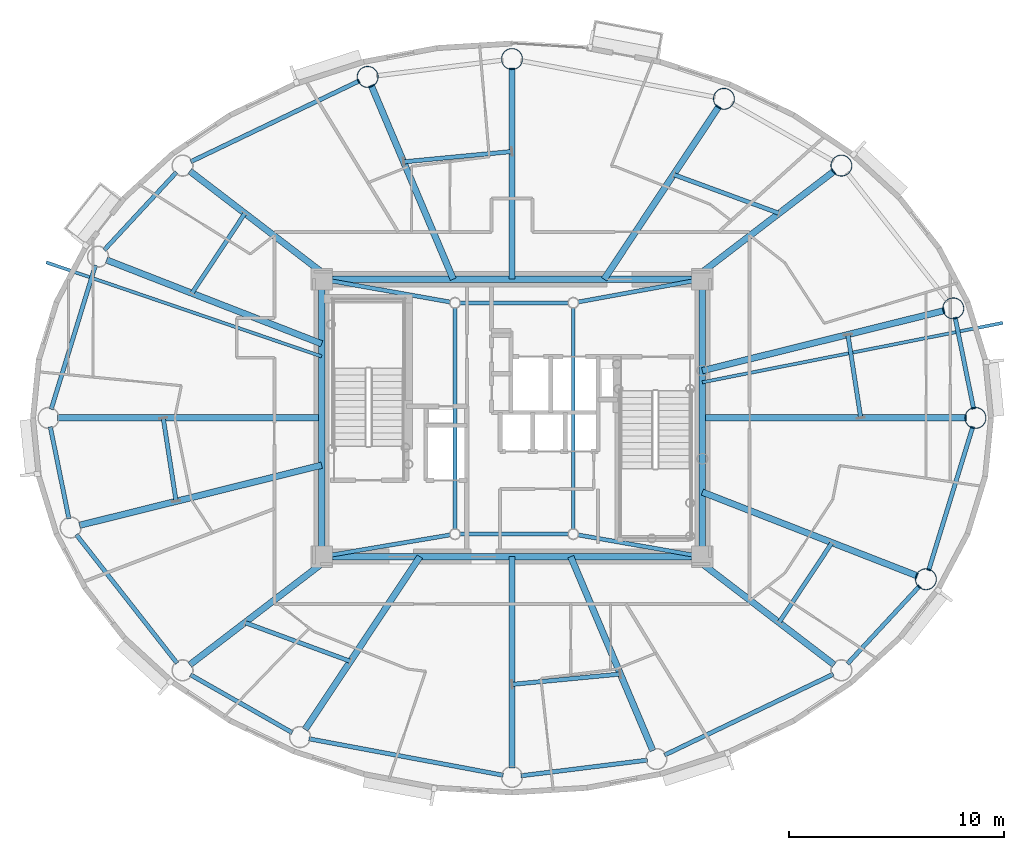
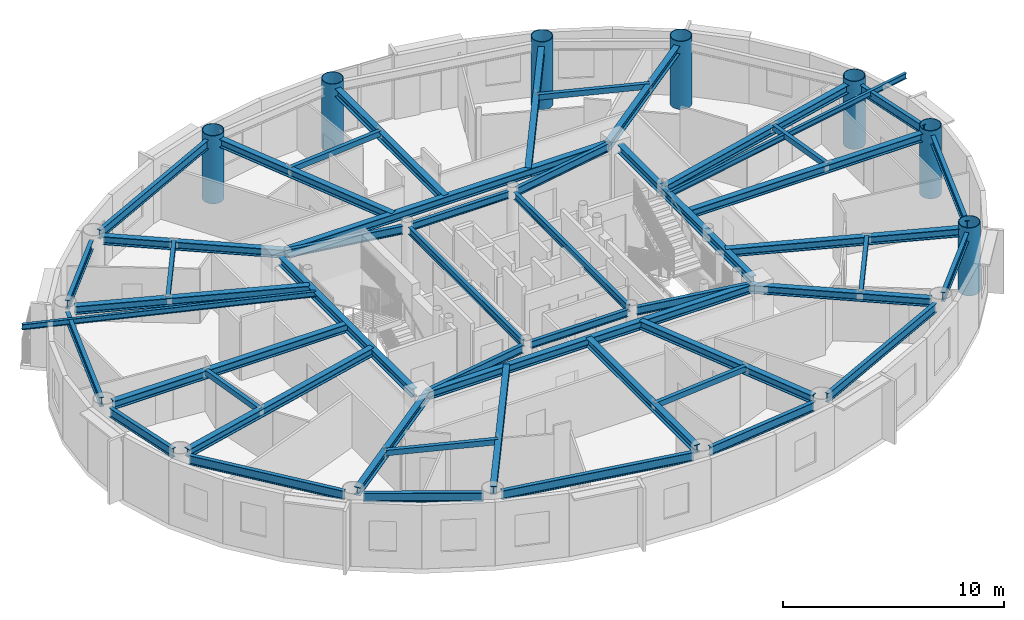
# One storey, part 2 of 18: 50 beams, 7 columns.
"""IFC4 building model written with IfcOpenShell, lengths in metres."""

from ifc_helpers import new_model, si_unit, direction, frame, origin, origin_2d, place, context, subcontext, project, spatial, hollow_rectangle, hollow_circle, i_section, extrude, material, material_profile, profile_set, type_object, element, save


model = new_model("IFC4")

# Units and contexts
model_context = context("Model", 3, precision=1e-05, world=origin(), true_north=direction((0.0, 1.0)))
body_context = subcontext(model_context, "Body", "Model", "MODEL_VIEW")
ifc_project = project(units=[si_unit("LENGTHUNIT", "METRE"), si_unit("AREAUNIT", "SQUARE_METRE"), si_unit("VOLUMEUNIT", "CUBIC_METRE"), si_unit("PLANEANGLEUNIT", "RADIAN"), si_unit("MASSUNIT", "GRAM", prefix="KILO")], contexts=[model_context])

# Site, building, storey
site_placement = place(None, origin())
site = spatial("IfcSite", under=ifc_project, at=site_placement, CompositionType="ELEMENT")
building_placement = place(site_placement, origin())
building = spatial("IfcBuilding", under=site, at=building_placement, Name="Linh Dai School and Residence Tower", CompositionType="ELEMENT")
storey_placement = place(building_placement, frame((0.0, 0.0, 291.75)))
storey = spatial("IfcBuildingStorey", under=building, at=storey_placement, Name="L72", CompositionType="ELEMENT", Elevation=291.75)

# Columns
ifc_material = material(Name="Structural Steel S355JR", Category="steel")
ifc_material_profile_1 = material_profile(ifc_material, hollow_circle(Radius=0.5, WallThickness=0.031982421875, at=origin_2d()), Name="CHS 1000x32")
ifc_profile_set_1 = profile_set([ifc_material_profile_1], Name="Structural Steel S355JR")
column_type = type_object("IfcColumnType", Name="COL-MC6", PredefinedType="COLUMN", material=ifc_profile_set_1)
for number, where, z_axis, x_axis, name in (
    (1, (57.550048828125, 27.0, 0.0), (0.0, 0.0, 1.0), (1.0, 0.0, 0.0), "L72 Perimeter CFT Mega-Column MC01"),
    (2, (56.5185546875, 32.094482421875, 0.0), (0.0, 0.0, 1.0), (1.0, 0.0, 0.0), "L72 Perimeter CFT Mega-Column MC02"),
    (3, (51.315185546875, 38.7333984375, 0.0), (0.0, 0.0, 1.0), (1.0, 0.0, 0.0), "L72 Perimeter CFT Mega-Column MC03"),
    (4, (45.8544921875, 41.8388671875, 0.0), (0.0, 0.0, 1.0), (1.0, 0.0, 0.0), "L72 Perimeter CFT Mega-Column MC04"),
    (5, (36.0, 43.68994140625, 0.0), (0.0, 0.0, 1.0), (1.0, 0.0, 0.0), "L72 Perimeter CFT Mega-Column MC05"),
    (6, (29.28759765625, 42.857666015625, 0.0), (0.0, 0.0, 1.0), (1.0, 0.0, 0.0), "L72 Perimeter CFT Mega-Column MC06"),
    (7, (55.24609375, 19.50048828125, 0.0), (0.0, 0.0, 1.0), (1.0, 0.0, 0.0), "L72 Perimeter CFT Mega-Column MC16"),
):
    element("IfcColumn", number, at=place(storey_placement, frame(where, z_axis=z_axis, x_axis=x_axis)), inside=storey, type_object=column_type, Name=name, PredefinedType="COLUMN", context=body_context, shape_type="SweptSolid", body=[
        extrude(hollow_circle(Radius=0.5, WallThickness=0.031982421875, at=origin_2d()), origin(), (0.0, 0.0, 1.0), 3.75),
    ])

# Beams
ifc_material_profile_2 = material_profile(ifc_material, i_section(OverallWidth=0.14990234375, OverallDepth=0.300048828125, WebThickness=0.007080078125, FlangeThickness=0.0107421875, at=origin_2d()), Name="IPE 300")
ifc_profile_set_2 = profile_set([ifc_material_profile_2], Name="Structural Steel S355JR")
beam_type_1 = type_object("IfcBeamType", Name="BM-BALC-CANT", PredefinedType="BEAM", material=ifc_profile_set_2)
beam_1_placement = place(storey_placement, frame((44.85009765625, 28.657958984375, 3.35009765625), z_axis=(0.98098726072, 0.194072136859, 0.0), x_axis=(-0.194072136859, 0.98098726072, 0.0)))
element("IfcBeam", 8, at=beam_1_placement, inside=storey, type_object=beam_type_1, Name="L73 Balcony Continuous Cantilever Beam 02", PredefinedType="BEAM", context=body_context, shape_type="SweptSolid", body=[
    extrude(i_section(OverallWidth=0.14990234375, OverallDepth=0.300048828125, WebThickness=0.007080078125, FlangeThickness=0.0107421875, at=origin_2d()), origin(), (0.0, 0.0, 1.0), 14.244140625),
])
beam_2_placement = place(storey_placement, frame((27.14990234375, 29.86083984375, 3.35009765625), z_axis=(-0.946337745038, 0.323179319136, 0.0), x_axis=(-0.323179319136, -0.946337745038, 0.0)))
element("IfcBeam", 9, at=beam_2_placement, inside=storey, type_object=beam_type_1, Name="L73 Balcony Continuous Cantilever Beam 18", PredefinedType="BEAM", context=body_context, shape_type="SweptSolid", body=[
    extrude(i_section(OverallWidth=0.14990234375, OverallDepth=0.300048828125, WebThickness=0.007080078125, FlangeThickness=0.0107421875, at=origin_2d()), origin(), (0.0, 0.0, 1.0), 13.532958984375),
])
ifc_material_profile_3 = material_profile(ifc_material, hollow_rectangle(XDim=0.199951171875, YDim=0.300048828125, WallThickness=0.010009765625, at=origin_2d()), Name="RHS 300x200x10")
ifc_profile_set_3 = profile_set([ifc_material_profile_3], Name="Structural Steel S355JR")
beam_type_2 = type_object("IfcBeamType", Name="BM-BX3", PredefinedType="BEAM", material=ifc_profile_set_3)
beam_3_placement = place(storey_placement, frame((52.21533203125, 27.0048828125, 3.35009765625), z_axis=(-0.15246970742, 0.988308144416, 0.0), x_axis=(-0.988308144416, -0.15246970742, 0.0)))
element("IfcBeam", 10, at=beam_3_placement, inside=storey, type_object=beam_type_2, Name="L72 Secondary Circumferential Floor Beam 01", PredefinedType="BEAM", context=body_context, shape_type="SweptSolid", body=[
    extrude(hollow_rectangle(XDim=0.199951171875, YDim=0.300048828125, WallThickness=0.010009765625, at=origin_2d()), origin(), (0.0, 0.0, 1.0), 3.913330078125),
])
beam_4_placement = place(storey_placement, frame((48.4140625, 36.51611328125, 3.35009765625), z_axis=(-0.938699136888, 0.344737480418, 0.0), x_axis=(-0.344737480418, -0.938699136888, 0.0)))
element("IfcBeam", 11, at=beam_4_placement, inside=storey, type_object=beam_type_2, Name="L72 Secondary Circumferential Floor Beam 02", PredefinedType="BEAM", context=body_context, shape_type="SweptSolid", body=[
    extrude(hollow_rectangle(XDim=0.199951171875, YDim=0.300048828125, WallThickness=0.010009765625, at=origin_2d()), origin(), (0.0, 0.0, 1.0), 5.21435546875),
])
beam_5_placement = place(storey_placement, frame((35.9951171875, 39.388671875, 3.35009765625), z_axis=(-0.99544604529, -0.095326653757, 0.0), x_axis=(0.095326653757, -0.99544604529, 0.0)))
element("IfcBeam", 12, at=beam_5_placement, inside=storey, type_object=beam_type_2, Name="L72 Secondary Circumferential Floor Beam 03", PredefinedType="BEAM", context=body_context, shape_type="SweptSolid", body=[
    extrude(hollow_rectangle(XDim=0.199951171875, YDim=0.300048828125, WallThickness=0.010009765625, at=origin_2d()), origin(), (0.0, 0.0, 1.0), 5.052978515625),
])
beam_6_placement = place(storey_placement, frame((23.57861328125, 36.51025390625, 3.35009765625), z_axis=(-0.552138599569, -0.833752341445, 0.0), x_axis=(0.833752341445, -0.552138599569, 0.0)))
element("IfcBeam", 13, at=beam_6_placement, inside=storey, type_object=beam_type_2, Name="L72 Secondary Circumferential Floor Beam 04", PredefinedType="BEAM", context=body_context, shape_type="SweptSolid", body=[
    extrude(hollow_rectangle(XDim=0.199951171875, YDim=0.300048828125, WallThickness=0.010009765625, at=origin_2d()), origin(), (0.0, 0.0, 1.0), 4.447265625),
])
beam_7_placement = place(storey_placement, frame((19.78466796875, 26.9951171875, 3.35009765625), z_axis=(0.15246970742, -0.988308144416, 0.0), x_axis=(0.988308144416, 0.15246970742, 0.0)))
element("IfcBeam", 14, at=beam_7_placement, inside=storey, type_object=beam_type_2, Name="L72 Secondary Circumferential Floor Beam 05", PredefinedType="BEAM", context=body_context, shape_type="SweptSolid", body=[
    extrude(hollow_rectangle(XDim=0.199951171875, YDim=0.300048828125, WallThickness=0.010009765625, at=origin_2d()), origin(), (0.0, 0.0, 1.0), 3.913330078125),
])
beam_8_placement = place(storey_placement, frame((23.5859375, 17.48388671875, 3.35009765625), z_axis=(0.938699136888, -0.344737480418, 0.0), x_axis=(0.344737480418, 0.938699136888, 0.0)))
element("IfcBeam", 15, at=beam_8_placement, inside=storey, type_object=beam_type_2, Name="L72 Secondary Circumferential Floor Beam 06", PredefinedType="BEAM", context=body_context, shape_type="SweptSolid", body=[
    extrude(hollow_rectangle(XDim=0.199951171875, YDim=0.300048828125, WallThickness=0.010009765625, at=origin_2d()), origin(), (0.0, 0.0, 1.0), 5.21435546875),
])
beam_9_placement = place(storey_placement, frame((36.0048828125, 14.611328125, 3.35009765625), z_axis=(0.99544604529, 0.095326653757, 0.0), x_axis=(-0.095326653757, 0.99544604529, 0.0)))
element("IfcBeam", 16, at=beam_9_placement, inside=storey, type_object=beam_type_2, Name="L72 Secondary Circumferential Floor Beam 07", PredefinedType="BEAM", context=body_context, shape_type="SweptSolid", body=[
    extrude(hollow_rectangle(XDim=0.199951171875, YDim=0.300048828125, WallThickness=0.010009765625, at=origin_2d()), origin(), (0.0, 0.0, 1.0), 5.052978515625),
])
beam_10_placement = place(storey_placement, frame((48.42138671875, 17.48974609375, 3.35009765625), z_axis=(0.552138599569, 0.833752341445, 0.0), x_axis=(-0.833752341445, 0.552138599569, 0.0)))
element("IfcBeam", 17, at=beam_10_placement, inside=storey, type_object=beam_type_2, Name="L72 Secondary Circumferential Floor Beam 08", PredefinedType="BEAM", context=body_context, shape_type="SweptSolid", body=[
    extrude(hollow_rectangle(XDim=0.199951171875, YDim=0.300048828125, WallThickness=0.010009765625, at=origin_2d()), origin(), (0.0, 0.0, 1.0), 4.447265625),
])
ifc_material_profile_4 = material_profile(ifc_material, i_section(OverallWidth=0.199951171875, OverallDepth=0.5, WebThickness=0.01025390625, FlangeThickness=0.01611328125, FilletRadius=0.02099609375, at=origin_2d()), Name="IPE 500")
ifc_profile_set_4 = profile_set([ifc_material_profile_4], Name="Structural Steel S355JR")
beam_type_3 = type_object("IfcBeamType", Name="BM-RB50", PredefinedType="BEAM", material=ifc_profile_set_4)
beam_11_placement = place(storey_placement, frame((57.466552734375, 27.41162109375, 3.25), z_axis=(-0.198442801529, 0.980112470343, 0.0), x_axis=(-0.980112470343, -0.198442801529, 0.0)))
element("IfcBeam", 18, at=beam_11_placement, inside=storey, type_object=beam_type_3, Name="L72 Perimeter Elliptical Ring Beam 01", PredefinedType="BEAM", context=body_context, shape_type="SweptSolid", body=[
    extrude(i_section(OverallWidth=0.199951171875, OverallDepth=0.5, WebThickness=0.01025390625, FlangeThickness=0.01611328125, FilletRadius=0.02099609375, at=origin_2d()), origin(), (0.0, 0.0, 1.0), 4.357666015625),
])
beam_12_placement = place(storey_placement, frame((28.908935546875, 42.67626953125, 3.25), z_axis=(-0.901728757887, -0.4323022637, 0.0), x_axis=(0.4323022637, -0.901728757887, 0.0)))
element("IfcBeam", 19, at=beam_12_placement, inside=storey, type_object=beam_type_3, Name="L72 Perimeter Elliptical Ring Beam 06", PredefinedType="BEAM", context=body_context, shape_type="SweptSolid", body=[
    extrude(i_section(OverallWidth=0.199951171875, OverallDepth=0.5, WebThickness=0.01025390625, FlangeThickness=0.01611328125, FilletRadius=0.02099609375, at=origin_2d()), origin(), (0.0, 0.0, 1.0), 8.700439453125),
])
beam_13_placement = place(storey_placement, frame((20.399169921875, 38.425537109375, 3.25), z_axis=(-0.680415064526, -0.7328269509, 0.0), x_axis=(0.7328269509, -0.680415064526, 0.0)))
element("IfcBeam", 20, at=beam_13_placement, inside=storey, type_object=beam_type_3, Name="L72 Perimeter Elliptical Ring Beam 07", PredefinedType="BEAM", context=body_context, shape_type="SweptSolid", body=[
    extrude(i_section(OverallWidth=0.199951171875, OverallDepth=0.5, WebThickness=0.01025390625, FlangeThickness=0.01611328125, FilletRadius=0.02099609375, at=origin_2d()), origin(), (0.0, 0.0, 1.0), 4.9375),
])
beam_14_placement = place(storey_placement, frame((16.630615234375, 34.097900390625, 3.25), z_axis=(-0.293681749834, -0.955903253376, 0.0), x_axis=(0.955903253376, -0.293681749834, 0.0)))
element("IfcBeam", 21, at=beam_14_placement, inside=storey, type_object=beam_type_3, Name="L72 Perimeter Elliptical Ring Beam 08", PredefinedType="BEAM", context=body_context, shape_type="SweptSolid", body=[
    extrude(i_section(OverallWidth=0.199951171875, OverallDepth=0.5, WebThickness=0.01025390625, FlangeThickness=0.01611328125, FilletRadius=0.02099609375, at=origin_2d()), origin(), (0.0, 0.0, 1.0), 7.00537109375),
])
beam_15_placement = place(storey_placement, frame((14.533447265625, 26.58837890625, 3.25), z_axis=(0.198442801529, -0.980112470343, 0.0), x_axis=(0.980112470343, 0.198442801529, 0.0)))
element("IfcBeam", 22, at=beam_15_placement, inside=storey, type_object=beam_type_3, Name="L72 Perimeter Elliptical Ring Beam 09", PredefinedType="BEAM", context=body_context, shape_type="SweptSolid", body=[
    extrude(i_section(OverallWidth=0.199951171875, OverallDepth=0.5, WebThickness=0.01025390625, FlangeThickness=0.01611328125, FilletRadius=0.02099609375, at=origin_2d()), origin(), (0.0, 0.0, 1.0), 4.357666015625),
])
beam_16_placement = place(storey_placement, frame((15.740478515625, 21.574951171875, 3.25), z_axis=(0.616882739554, -0.787055071542, 0.0), x_axis=(0.787055071542, 0.616882739554, 0.0)))
element("IfcBeam", 23, at=beam_16_placement, inside=storey, type_object=beam_type_3, Name="L72 Perimeter Elliptical Ring Beam 10", PredefinedType="BEAM", context=body_context, shape_type="SweptSolid", body=[
    extrude(i_section(OverallWidth=0.199951171875, OverallDepth=0.5, WebThickness=0.01025390625, FlangeThickness=0.01611328125, FilletRadius=0.02099609375, at=origin_2d()), origin(), (0.0, 0.0, 1.0), 7.59521484375),
])
beam_17_placement = place(storey_placement, frame((21.050048828125, 15.05908203125, 3.25), z_axis=(0.869265548778, -0.494345431564, 0.0), x_axis=(0.494345431564, 0.869265548778, 0.0)))
element("IfcBeam", 24, at=beam_17_placement, inside=storey, type_object=beam_type_3, Name="L72 Perimeter Elliptical Ring Beam 11", PredefinedType="BEAM", context=body_context, shape_type="SweptSolid", body=[
    extrude(i_section(OverallWidth=0.199951171875, OverallDepth=0.5, WebThickness=0.01025390625, FlangeThickness=0.01611328125, FilletRadius=0.02099609375, at=origin_2d()), origin(), (0.0, 0.0, 1.0), 5.44189453125),
])
beam_18_placement = place(storey_placement, frame((26.558349609375, 12.083740234375, 3.25), z_axis=(0.982805333306, -0.184644731378, 0.0), x_axis=(0.184644731378, 0.982805333306, 0.0)))
element("IfcBeam", 25, at=beam_18_placement, inside=storey, type_object=beam_type_3, Name="L72 Perimeter Elliptical Ring Beam 12", PredefinedType="BEAM", context=body_context, shape_type="SweptSolid", body=[
    extrude(i_section(OverallWidth=0.199951171875, OverallDepth=0.5, WebThickness=0.01025390625, FlangeThickness=0.01611328125, FilletRadius=0.02099609375, at=origin_2d()), origin(), (0.0, 0.0, 1.0), 9.186767578125),
])
beam_19_placement = place(storey_placement, frame((36.416748046875, 10.361572265625, 3.25), z_axis=(0.992399134443, 0.123060789678, 0.0), x_axis=(-0.123060789678, 0.992399134443, 0.0)))
element("IfcBeam", 26, at=beam_19_placement, inside=storey, type_object=beam_type_3, Name="L72 Perimeter Elliptical Ring Beam 13", PredefinedType="BEAM", context=body_context, shape_type="SweptSolid", body=[
    extrude(i_section(OverallWidth=0.199951171875, OverallDepth=0.5, WebThickness=0.01025390625, FlangeThickness=0.01611328125, FilletRadius=0.02099609375, at=origin_2d()), origin(), (0.0, 0.0, 1.0), 5.923828125),
])
beam_20_placement = place(storey_placement, frame((43.091064453125, 11.32373046875, 3.25), z_axis=(0.901728757887, 0.4323022637, 0.0), x_axis=(-0.4323022637, 0.901728757887, 0.0)))
element("IfcBeam", 27, at=beam_20_placement, inside=storey, type_object=beam_type_3, Name="L72 Perimeter Elliptical Ring Beam 14", PredefinedType="BEAM", context=body_context, shape_type="SweptSolid", body=[
    extrude(i_section(OverallWidth=0.199951171875, OverallDepth=0.5, WebThickness=0.01025390625, FlangeThickness=0.01611328125, FilletRadius=0.02099609375, at=origin_2d()), origin(), (0.0, 0.0, 1.0), 8.700439453125),
])
beam_21_placement = place(storey_placement, frame((51.600830078125, 15.574462890625, 3.25), z_axis=(0.680415064526, 0.7328269509, 0.0), x_axis=(-0.7328269509, 0.680415064526, 0.0)))
element("IfcBeam", 28, at=beam_21_placement, inside=storey, type_object=beam_type_3, Name="L72 Perimeter Elliptical Ring Beam 15", PredefinedType="BEAM", context=body_context, shape_type="SweptSolid", body=[
    extrude(i_section(OverallWidth=0.199951171875, OverallDepth=0.5, WebThickness=0.01025390625, FlangeThickness=0.01611328125, FilletRadius=0.02099609375, at=origin_2d()), origin(), (0.0, 0.0, 1.0), 4.9375),
])
beam_22_placement = place(storey_placement, frame((55.369384765625, 19.902099609375, 3.25), z_axis=(0.293681749834, 0.955903253376, 0.0), x_axis=(-0.955903253376, 0.293681749834, 0.0)))
element("IfcBeam", 29, at=beam_22_placement, inside=storey, type_object=beam_type_3, Name="L72 Perimeter Elliptical Ring Beam 16", PredefinedType="BEAM", context=body_context, shape_type="SweptSolid", body=[
    extrude(i_section(OverallWidth=0.199951171875, OverallDepth=0.5, WebThickness=0.01025390625, FlangeThickness=0.01611328125, FilletRadius=0.02099609375, at=origin_2d()), origin(), (0.0, 0.0, 1.0), 7.00537109375),
])
ifc_material_profile_5 = material_profile(ifc_material, i_section(OverallWidth=0.300048828125, OverallDepth=0.449951171875, WebThickness=0.013916015625, FlangeThickness=0.02587890625, FilletRadius=0.027099609375, at=origin_2d()), Name="HEB 450")
ifc_profile_set_5 = profile_set([ifc_material_profile_5], Name="Structural Steel S355JR")
beam_type_4 = type_object("IfcBeamType", Name="BM-RG45", PredefinedType="BEAM", material=ifc_profile_set_5)
beam_23_placement = place(storey_placement, frame((27.570068359375, 20.550048828125, 3.27490234375), z_axis=(1.0, 0.0, 0.0), x_axis=(0.0, 1.0, 0.0)))
element("IfcBeam", 30, at=beam_23_placement, inside=storey, type_object=beam_type_4, Name="L72 Core Perimeter Coupling Girder 1", PredefinedType="BEAM", context=body_context, shape_type="SweptSolid", body=[
    extrude(i_section(OverallWidth=0.300048828125, OverallDepth=0.449951171875, WebThickness=0.013916015625, FlangeThickness=0.02587890625, FilletRadius=0.027099609375, at=origin_2d()), origin(), (0.0, 0.0, 1.0), 16.85986328125),
])
beam_24_placement = place(storey_placement, frame((44.85009765625, 20.969970703125, 3.27490234375), z_axis=(0.0, 1.0, 0.0), x_axis=(-1.0, 0.0, 0.0)))
element("IfcBeam", 31, at=beam_24_placement, inside=storey, type_object=beam_type_4, Name="L72 Core Perimeter Coupling Girder 2", PredefinedType="BEAM", context=body_context, shape_type="SweptSolid", body=[
    extrude(i_section(OverallWidth=0.300048828125, OverallDepth=0.449951171875, WebThickness=0.013916015625, FlangeThickness=0.02587890625, FilletRadius=0.027099609375, at=origin_2d()), origin(), (0.0, 0.0, 1.0), 12.06005859375),
])
beam_25_placement = place(storey_placement, frame((44.429931640625, 33.449951171875, 3.27490234375), z_axis=(-1.0, 0.0, 0.0), x_axis=(0.0, -1.0, 0.0)))
element("IfcBeam", 32, at=beam_25_placement, inside=storey, type_object=beam_type_4, Name="L72 Core Perimeter Coupling Girder 3", PredefinedType="BEAM", context=body_context, shape_type="SweptSolid", body=[
    extrude(i_section(OverallWidth=0.300048828125, OverallDepth=0.449951171875, WebThickness=0.013916015625, FlangeThickness=0.02587890625, FilletRadius=0.027099609375, at=origin_2d()), origin(), (0.0, 0.0, 1.0), 16.85986328125),
])
beam_26_placement = place(storey_placement, frame((27.14990234375, 33.030029296875, 3.27490234375), z_axis=(0.0, -1.0, 0.0), x_axis=(1.0, 0.0, 0.0)))
element("IfcBeam", 33, at=beam_26_placement, inside=storey, type_object=beam_type_4, Name="L72 Core Perimeter Coupling Girder 4", PredefinedType="BEAM", context=body_context, shape_type="SweptSolid", body=[
    extrude(i_section(OverallWidth=0.300048828125, OverallDepth=0.449951171875, WebThickness=0.013916015625, FlangeThickness=0.02587890625, FilletRadius=0.027099609375, at=origin_2d()), origin(), (0.0, 0.0, 1.0), 12.06005859375),
])
beam_27_placement = place(storey_placement, frame((44.85009765625, 27.0, 3.27490234375), z_axis=(1.0, 0.0, 0.0), x_axis=(0.0, 1.0, 0.0)))
element("IfcBeam", 34, at=beam_27_placement, inside=storey, type_object=beam_type_4, Name="L72 Primary Radial Floor Girder 01", PredefinedType="BEAM", context=body_context, shape_type="SweptSolid", body=[
    extrude(i_section(OverallWidth=0.300048828125, OverallDepth=0.449951171875, WebThickness=0.013916015625, FlangeThickness=0.02587890625, FilletRadius=0.027099609375, at=origin_2d()), origin(), (0.0, 0.0, 1.0), 12.27978515625),
])
beam_28_placement = place(storey_placement, frame((44.85009765625, 29.197265625, 3.27490234375), z_axis=(0.970532368701, 0.240970789315, 0.0), x_axis=(-0.240970789315, 0.970532368701, 0.0)))
element("IfcBeam", 35, at=beam_28_placement, inside=storey, type_object=beam_type_4, Name="L72 Primary Radial Floor Girder 02", PredefinedType="BEAM", context=body_context, shape_type="SweptSolid", body=[
    extrude(i_section(OverallWidth=0.300048828125, OverallDepth=0.449951171875, WebThickness=0.013916015625, FlangeThickness=0.02587890625, FilletRadius=0.027099609375, at=origin_2d()), origin(), (0.0, 0.0, 1.0), 11.6025390625),
])
beam_29_placement = place(storey_placement, frame((44.4189453125, 33.449951171875, 3.27490234375), z_axis=(0.793802616583, 0.608175472956, 0.0), x_axis=(-0.608175472956, 0.793802616583, 0.0)))
element("IfcBeam", 36, at=beam_29_placement, inside=storey, type_object=beam_type_4, Name="L72 Primary Radial Floor Girder 03", PredefinedType="BEAM", context=body_context, shape_type="SweptSolid", body=[
    extrude(i_section(OverallWidth=0.300048828125, OverallDepth=0.449951171875, WebThickness=0.013916015625, FlangeThickness=0.02587890625, FilletRadius=0.027099609375, at=origin_2d()), origin(), (0.0, 0.0, 1.0), 8.267578125),
])
beam_30_placement = place(storey_placement, frame((40.283447265625, 33.449951171875, 3.27490234375), z_axis=(0.553210566646, 0.833041456922, 0.0), x_axis=(-0.833041456922, 0.553210566646, 0.0)))
element("IfcBeam", 37, at=beam_30_placement, inside=storey, type_object=beam_type_4, Name="L72 Primary Radial Floor Girder 04", PredefinedType="BEAM", context=body_context, shape_type="SweptSolid", body=[
    extrude(i_section(OverallWidth=0.300048828125, OverallDepth=0.449951171875, WebThickness=0.013916015625, FlangeThickness=0.02587890625, FilletRadius=0.027099609375, at=origin_2d()), origin(), (0.0, 0.0, 1.0), 9.650146484375),
])
beam_31_placement = place(storey_placement, frame((36.0, 33.449951171875, 3.27490234375), z_axis=(0.0, 1.0, 0.0), x_axis=(-1.0, 0.0, 0.0)))
element("IfcBeam", 38, at=beam_31_placement, inside=storey, type_object=beam_type_4, Name="L72 Primary Radial Floor Girder 05", PredefinedType="BEAM", context=body_context, shape_type="SweptSolid", body=[
    extrude(i_section(OverallWidth=0.300048828125, OverallDepth=0.449951171875, WebThickness=0.013916015625, FlangeThickness=0.02587890625, FilletRadius=0.027099609375, at=origin_2d()), origin(), (0.0, 0.0, 1.0), 9.820068359375),
])
beam_32_placement = place(storey_placement, frame((33.269775390625, 33.449951171875, 3.27490234375), z_axis=(-0.389794463678, 0.920901881899, 0.0), x_axis=(-0.920901881899, -0.389794463678, 0.0)))
element("IfcBeam", 39, at=beam_32_placement, inside=storey, type_object=beam_type_4, Name="L72 Primary Radial Floor Girder 06", PredefinedType="BEAM", context=body_context, shape_type="SweptSolid", body=[
    extrude(i_section(OverallWidth=0.300048828125, OverallDepth=0.449951171875, WebThickness=0.013916015625, FlangeThickness=0.02587890625, FilletRadius=0.027099609375, at=origin_2d()), origin(), (0.0, 0.0, 1.0), 9.7958984375),
])
beam_33_placement = place(storey_placement, frame((27.5810546875, 33.449951171875, 3.27490234375), z_axis=(-0.793802616583, 0.608175472956, 0.0), x_axis=(-0.608175472956, -0.793802616583, 0.0)))
element("IfcBeam", 40, at=beam_33_placement, inside=storey, type_object=beam_type_4, Name="L72 Primary Radial Floor Girder 07", PredefinedType="BEAM", context=body_context, shape_type="SweptSolid", body=[
    extrude(i_section(OverallWidth=0.300048828125, OverallDepth=0.449951171875, WebThickness=0.013916015625, FlangeThickness=0.02587890625, FilletRadius=0.027099609375, at=origin_2d()), origin(), (0.0, 0.0, 1.0), 8.267578125),
])
beam_34_placement = place(storey_placement, frame((27.14990234375, 30.448486328125, 3.27490234375), z_axis=(-0.931760809838, 0.363072710693, 0.0), x_axis=(-0.363072710693, -0.931760809838, 0.0)))
element("IfcBeam", 41, at=beam_34_placement, inside=storey, type_object=beam_type_4, Name="L72 Primary Radial Floor Girder 08", PredefinedType="BEAM", context=body_context, shape_type="SweptSolid", body=[
    extrude(i_section(OverallWidth=0.300048828125, OverallDepth=0.449951171875, WebThickness=0.013916015625, FlangeThickness=0.02587890625, FilletRadius=0.027099609375, at=origin_2d()), origin(), (0.0, 0.0, 1.0), 10.7373046875),
])
beam_35_placement = place(storey_placement, frame((27.14990234375, 27.0, 3.27490234375), z_axis=(-1.0, 0.0, 0.0), x_axis=(0.0, -1.0, 0.0)))
element("IfcBeam", 42, at=beam_35_placement, inside=storey, type_object=beam_type_4, Name="L72 Primary Radial Floor Girder 09", PredefinedType="BEAM", context=body_context, shape_type="SweptSolid", body=[
    extrude(i_section(OverallWidth=0.300048828125, OverallDepth=0.449951171875, WebThickness=0.013916015625, FlangeThickness=0.02587890625, FilletRadius=0.027099609375, at=origin_2d()), origin(), (0.0, 0.0, 1.0), 12.27978515625),
])
beam_36_placement = place(storey_placement, frame((27.14990234375, 24.802734375, 3.27490234375), z_axis=(-0.970532368701, -0.240970789315, 0.0), x_axis=(0.240970789315, -0.970532368701, 0.0)))
element("IfcBeam", 43, at=beam_36_placement, inside=storey, type_object=beam_type_4, Name="L72 Primary Radial Floor Girder 10", PredefinedType="BEAM", context=body_context, shape_type="SweptSolid", body=[
    extrude(i_section(OverallWidth=0.300048828125, OverallDepth=0.449951171875, WebThickness=0.013916015625, FlangeThickness=0.02587890625, FilletRadius=0.027099609375, at=origin_2d()), origin(), (0.0, 0.0, 1.0), 11.6025390625),
])
beam_37_placement = place(storey_placement, frame((27.5810546875, 20.550048828125, 3.27490234375), z_axis=(-0.793802616583, -0.608175472956, 0.0), x_axis=(0.608175472956, -0.793802616583, 0.0)))
element("IfcBeam", 44, at=beam_37_placement, inside=storey, type_object=beam_type_4, Name="L72 Primary Radial Floor Girder 11", PredefinedType="BEAM", context=body_context, shape_type="SweptSolid", body=[
    extrude(i_section(OverallWidth=0.300048828125, OverallDepth=0.449951171875, WebThickness=0.013916015625, FlangeThickness=0.02587890625, FilletRadius=0.027099609375, at=origin_2d()), origin(), (0.0, 0.0, 1.0), 8.267578125),
])
beam_38_placement = place(storey_placement, frame((31.716552734375, 20.550048828125, 3.27490234375), z_axis=(-0.553210566646, -0.833041456922, 0.0), x_axis=(0.833041456922, -0.553210566646, 0.0)))
element("IfcBeam", 45, at=beam_38_placement, inside=storey, type_object=beam_type_4, Name="L72 Primary Radial Floor Girder 12", PredefinedType="BEAM", context=body_context, shape_type="SweptSolid", body=[
    extrude(i_section(OverallWidth=0.300048828125, OverallDepth=0.449951171875, WebThickness=0.013916015625, FlangeThickness=0.02587890625, FilletRadius=0.027099609375, at=origin_2d()), origin(), (0.0, 0.0, 1.0), 9.650146484375),
])
beam_39_placement = place(storey_placement, frame((36.0, 20.550048828125, 3.27490234375), z_axis=(0.0, -1.0, 0.0), x_axis=(1.0, 0.0, 0.0)))
element("IfcBeam", 46, at=beam_39_placement, inside=storey, type_object=beam_type_4, Name="L72 Primary Radial Floor Girder 13", PredefinedType="BEAM", context=body_context, shape_type="SweptSolid", body=[
    extrude(i_section(OverallWidth=0.300048828125, OverallDepth=0.449951171875, WebThickness=0.013916015625, FlangeThickness=0.02587890625, FilletRadius=0.027099609375, at=origin_2d()), origin(), (0.0, 0.0, 1.0), 9.820068359375),
])
beam_40_placement = place(storey_placement, frame((38.730224609375, 20.550048828125, 3.27490234375), z_axis=(0.389794463678, -0.920901881899, 0.0), x_axis=(0.920901881899, 0.389794463678, 0.0)))
element("IfcBeam", 47, at=beam_40_placement, inside=storey, type_object=beam_type_4, Name="L72 Primary Radial Floor Girder 14", PredefinedType="BEAM", context=body_context, shape_type="SweptSolid", body=[
    extrude(i_section(OverallWidth=0.300048828125, OverallDepth=0.449951171875, WebThickness=0.013916015625, FlangeThickness=0.02587890625, FilletRadius=0.027099609375, at=origin_2d()), origin(), (0.0, 0.0, 1.0), 9.7958984375),
])
beam_41_placement = place(storey_placement, frame((44.4189453125, 20.550048828125, 3.27490234375), z_axis=(0.793802616583, -0.608175472956, 0.0), x_axis=(0.608175472956, 0.793802616583, 0.0)))
element("IfcBeam", 48, at=beam_41_placement, inside=storey, type_object=beam_type_4, Name="L72 Primary Radial Floor Girder 15", PredefinedType="BEAM", context=body_context, shape_type="SweptSolid", body=[
    extrude(i_section(OverallWidth=0.300048828125, OverallDepth=0.449951171875, WebThickness=0.013916015625, FlangeThickness=0.02587890625, FilletRadius=0.027099609375, at=origin_2d()), origin(), (0.0, 0.0, 1.0), 8.267578125),
])
beam_42_placement = place(storey_placement, frame((44.85009765625, 23.551513671875, 3.27490234375), z_axis=(0.931760809838, -0.363072710693, 0.0), x_axis=(0.363072710693, 0.931760809838, 0.0)))
element("IfcBeam", 49, at=beam_42_placement, inside=storey, type_object=beam_type_4, Name="L72 Primary Radial Floor Girder 16", PredefinedType="BEAM", context=body_context, shape_type="SweptSolid", body=[
    extrude(i_section(OverallWidth=0.300048828125, OverallDepth=0.449951171875, WebThickness=0.013916015625, FlangeThickness=0.02587890625, FilletRadius=0.027099609375, at=origin_2d()), origin(), (0.0, 0.0, 1.0), 10.7373046875),
])
ifc_material_profile_6 = material_profile(ifc_material, i_section(OverallWidth=0.179931640625, OverallDepth=0.39990234375, WebThickness=0.008544921875, FlangeThickness=0.013427734375, FilletRadius=0.02099609375, at=origin_2d()), Name="IPE 400")
ifc_profile_set_6 = profile_set([ifc_material_profile_6], Name="Structural Steel S355JR")
beam_type_5 = type_object("IfcBeamType", Name="BM-SB40", PredefinedType="BEAM", material=ifc_profile_set_6)
beam_43_placement = place(storey_placement, frame((33.573974609375, 21.60009765625, 3.300048828125), z_axis=(1.0, 0.0, 0.0), x_axis=(0.0, 1.0, 0.0)))
element("IfcBeam", 50, at=beam_43_placement, inside=storey, type_object=beam_type_5, Name="L72 Core Mast Pier Tie Beam 1", PredefinedType="BEAM", context=body_context, shape_type="SweptSolid", body=[
    extrude(i_section(OverallWidth=0.179931640625, OverallDepth=0.39990234375, WebThickness=0.008544921875, FlangeThickness=0.013427734375, FilletRadius=0.02099609375, at=origin_2d()), origin(), (0.0, 0.0, 1.0), 5.052001953125),
])
beam_44_placement = place(storey_placement, frame((38.85009765625, 21.823974609375, 3.300048828125), z_axis=(0.0, 1.0, 0.0), x_axis=(-1.0, 0.0, 0.0)))
element("IfcBeam", 51, at=beam_44_placement, inside=storey, type_object=beam_type_5, Name="L72 Core Mast Pier Tie Beam 2", PredefinedType="BEAM", context=body_context, shape_type="SweptSolid", body=[
    extrude(i_section(OverallWidth=0.179931640625, OverallDepth=0.39990234375, WebThickness=0.008544921875, FlangeThickness=0.013427734375, FilletRadius=0.02099609375, at=origin_2d()), origin(), (0.0, 0.0, 1.0), 10.302001953125),
])
beam_45_placement = place(storey_placement, frame((38.6259765625, 32.35009765625, 3.300048828125), z_axis=(-1.0, 0.0, 0.0), x_axis=(0.0, -1.0, 0.0)))
element("IfcBeam", 52, at=beam_45_placement, inside=storey, type_object=beam_type_5, Name="L72 Core Mast Pier Tie Beam 3", PredefinedType="BEAM", context=body_context, shape_type="SweptSolid", body=[
    extrude(i_section(OverallWidth=0.179931640625, OverallDepth=0.39990234375, WebThickness=0.008544921875, FlangeThickness=0.013427734375, FilletRadius=0.02099609375, at=origin_2d()), origin(), (0.0, 0.0, 1.0), 5.052001953125),
])
beam_46_placement = place(storey_placement, frame((33.35009765625, 32.1259765625, 3.300048828125), z_axis=(0.0, -1.0, 0.0), x_axis=(1.0, 0.0, 0.0)))
element("IfcBeam", 53, at=beam_46_placement, inside=storey, type_object=beam_type_5, Name="L72 Core Mast Pier Tie Beam 4", PredefinedType="BEAM", context=body_context, shape_type="SweptSolid", body=[
    extrude(i_section(OverallWidth=0.179931640625, OverallDepth=0.39990234375, WebThickness=0.008544921875, FlangeThickness=0.013427734375, FilletRadius=0.02099609375, at=origin_2d()), origin(), (0.0, 0.0, 1.0), 10.302001953125),
])
ifc_material_profile_7 = material_profile(ifc_material, i_section(OverallWidth=0.18994140625, OverallDepth=0.449951171875, WebThickness=0.009521484375, FlangeThickness=0.0146484375, FilletRadius=0.02099609375, at=origin_2d()), Name="IPE 450")
ifc_profile_set_7 = profile_set([ifc_material_profile_7], Name="Structural Steel S355JR")
beam_type_6 = type_object("IfcBeamType", Name="BM-SB45", PredefinedType="BEAM", material=ifc_profile_set_7)
beam_47_placement = place(storey_placement, frame((27.564208984375, 20.6201171875, 3.27490234375), z_axis=(0.98596270559, 0.166965694638, 0.0), x_axis=(-0.166965694638, 0.98596270559, 0.0)))
element("IfcBeam", 54, at=beam_47_placement, inside=storey, type_object=beam_type_6, Name="L72 Core Corner-to-Mast Pier Beam 1", PredefinedType="BEAM", context=body_context, shape_type="SweptSolid", body=[
    extrude(i_section(OverallWidth=0.18994140625, OverallDepth=0.449951171875, WebThickness=0.009521484375, FlangeThickness=0.0146484375, FilletRadius=0.02099609375, at=origin_2d()), origin(), (0.0, 0.0, 1.0), 5.644287109375),
])
beam_48_placement = place(storey_placement, frame((44.436279296875, 20.622314453125, 3.27490234375), z_axis=(-0.985031608673, 0.17237380867, 0.0), x_axis=(-0.17237380867, -0.985031608673, 0.0)))
element("IfcBeam", 55, at=beam_48_placement, inside=storey, type_object=beam_type_6, Name="L72 Core Corner-to-Mast Pier Beam 2", PredefinedType="BEAM", context=body_context, shape_type="SweptSolid", body=[
    extrude(i_section(OverallWidth=0.18994140625, OverallDepth=0.449951171875, WebThickness=0.009521484375, FlangeThickness=0.0146484375, FilletRadius=0.02099609375, at=origin_2d()), origin(), (0.0, 0.0, 1.0), 5.447265625),
])
beam_49_placement = place(storey_placement, frame((44.436767578125, 33.374267578125, 3.27490234375), z_axis=(-0.983605366802, -0.180334362777, 0.0), x_axis=(0.180334362777, -0.983605366802, 0.0)))
element("IfcBeam", 56, at=beam_49_placement, inside=storey, type_object=beam_type_6, Name="L72 Core Corner-to-Mast Pier Beam 3", PredefinedType="BEAM", context=body_context, shape_type="SweptSolid", body=[
    extrude(i_section(OverallWidth=0.18994140625, OverallDepth=0.449951171875, WebThickness=0.009521484375, FlangeThickness=0.0146484375, FilletRadius=0.02099609375, at=origin_2d()), origin(), (0.0, 0.0, 1.0), 5.455810546875),
])
beam_50_placement = place(storey_placement, frame((27.5634765625, 33.376708984375, 3.27490234375), z_axis=(0.984621828197, -0.174699328672, 0.0), x_axis=(0.174699328672, 0.984621828197, 0.0)))
element("IfcBeam", 57, at=beam_50_placement, inside=storey, type_object=beam_type_6, Name="L72 Core Corner-to-Mast Pier Beam 4", PredefinedType="BEAM", context=body_context, shape_type="SweptSolid", body=[
    extrude(i_section(OverallWidth=0.18994140625, OverallDepth=0.449951171875, WebThickness=0.009521484375, FlangeThickness=0.0146484375, FilletRadius=0.02099609375, at=origin_2d()), origin(), (0.0, 0.0, 1.0), 5.65283203125),
])

save(model, "model.ifc")
